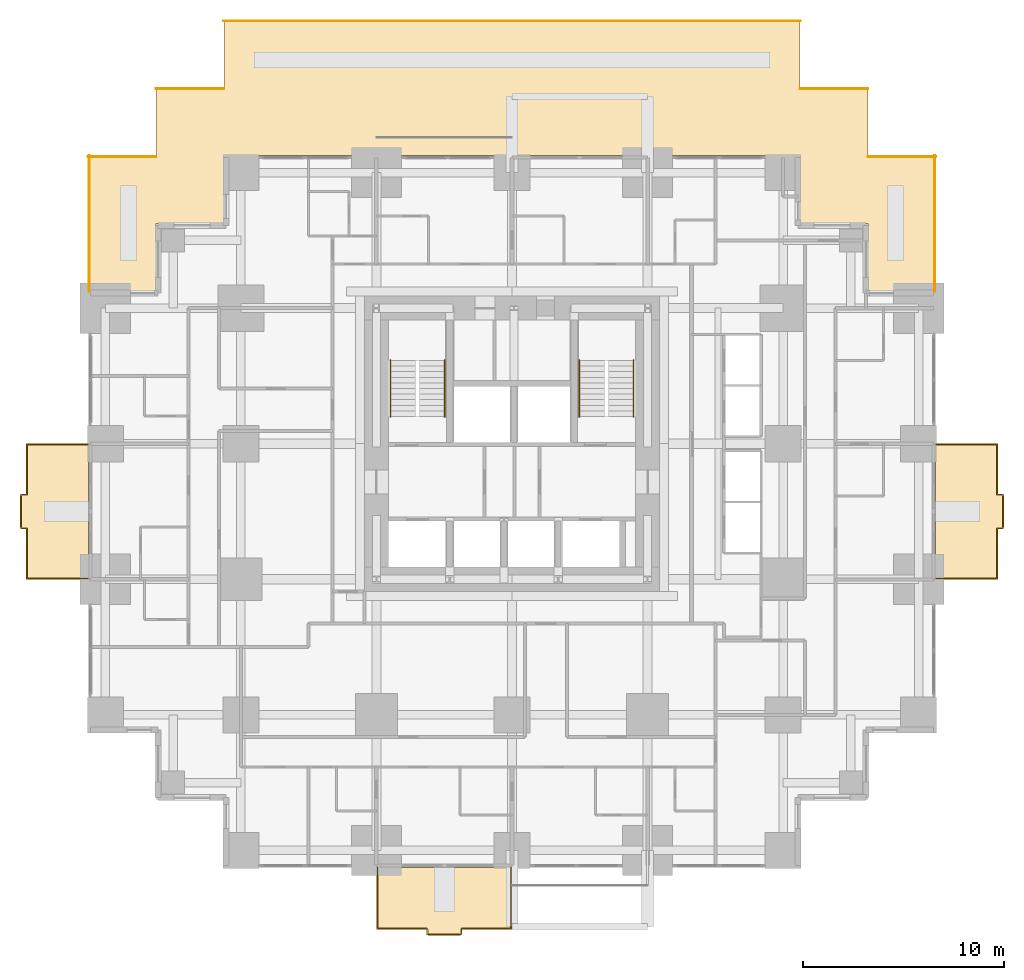
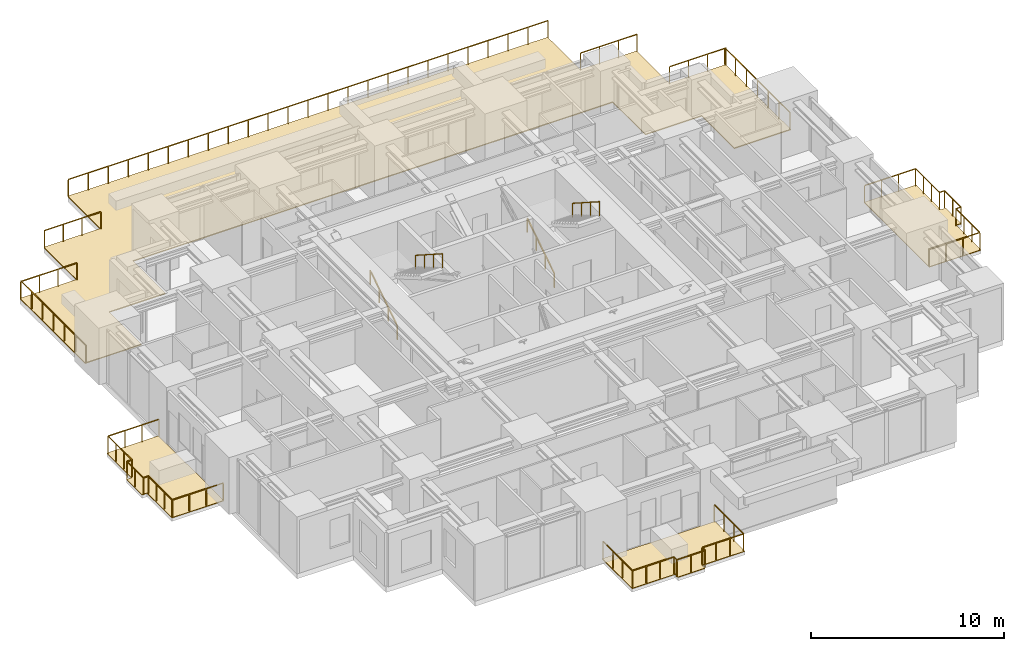
# One storey, part 12 of 12: 14 railings, 4 coverings.
"""IFC4 building model written with IfcOpenShell, lengths in metres."""

from ifc_helpers import new_model, si_unit, direction, frame, origin, origin_2d, place, context, subcontext, project, spatial, polyline, rectangle, outline, extrude, material, layer, layer_set, type_object, element, save


model = new_model("IFC4")

# Units and contexts
model_context = context("Model", 3, precision=1e-05, world=origin(), true_north=direction((0.0, 1.0)))
body_context = subcontext(model_context, "Body", "Model", "MODEL_VIEW")
ifc_project = project(units=[si_unit("LENGTHUNIT", "METRE"), si_unit("AREAUNIT", "SQUARE_METRE"), si_unit("VOLUMEUNIT", "CUBIC_METRE"), si_unit("PLANEANGLEUNIT", "RADIAN"), si_unit("MASSUNIT", "GRAM", prefix="KILO")], contexts=[model_context])

# Site, building, storey
site_placement = place(None, origin())
site = spatial("IfcSite", under=ifc_project, at=site_placement, CompositionType="ELEMENT")
building_placement = place(site_placement, origin())
building = spatial("IfcBuilding", under=site, at=building_placement, Name="Nyansa Garden Tower", CompositionType="ELEMENT")
storey_placement = place(building_placement, frame((0.0, 0.0, 80.10009765625)))
storey = spatial("IfcBuildingStorey", under=building, at=storey_placement, Name="L21", CompositionType="ELEMENT", Elevation=80.10009765625)

# Coverings
ifc_material_1 = material(Name="Hardwood decking on pedestals", Category="wood")
ifc_layer_1 = layer(ifc_material_1, 0.0400390625)
ifc_layer_set_1 = layer_set([ifc_layer_1], Name="Balcony decking DK40")
covering_type_1 = type_object("IfcCoveringType", Name="Balcony decking DK40", PredefinedType="FLOORING", material=ifc_layer_set_1)
covering_1_placement = place(storey_placement, frame((0.0, 0.0, -0.0400390625)))
element("IfcCovering", 1, at=covering_1_placement, inside=storey, type_object=covering_type_1, Name="Balcony decking L21", PredefinedType="FLOORING", context=body_context, shape_type="SweptSolid", body=[
    extrude(outline(polyline([(13.5, -0.85009765625), (20.25, -0.85009765625), (20.25, -3.949951171875), (17.675048828125, -3.949951171875), (17.675048828125, -4.25), (16.074951171875, -4.25), (16.074951171875, -3.949951171875), (13.5, -3.949951171875), (13.5, -0.85009765625)])), origin(), (0.0, 0.0, 1.0), 0.0400390625),
])
covering_2_placement = place(storey_placement, frame((0.0, 0.0, -0.0400390625)))
element("IfcCovering", 2, at=covering_2_placement, inside=storey, type_object=covering_type_1, Name="Balcony decking L21", PredefinedType="FLOORING", context=body_context, shape_type="SweptSolid", body=[
    extrude(outline(polyline([(41.35009765625, 13.5), (41.35009765625, 20.25), (44.449951171875, 20.25), (44.449951171875, 17.675048828125), (44.75, 17.675048828125), (44.75, 16.074951171875), (44.449951171875, 16.074951171875), (44.449951171875, 13.5), (41.35009765625, 13.5)])), origin(), (0.0, 0.0, 1.0), 0.0400390625),
])
covering_3_placement = place(storey_placement, frame((0.0, 0.0, -0.0400390625)))
element("IfcCovering", 3, at=covering_3_placement, inside=storey, type_object=covering_type_1, Name="Balcony decking L21", PredefinedType="FLOORING", context=body_context, shape_type="SweptSolid", body=[
    extrude(outline(polyline([(-0.85009765625, 13.5), (-0.85009765625, 20.25), (-3.949951171875, 20.25), (-3.949951171875, 17.675048828125), (-4.25, 17.675048828125), (-4.25, 16.074951171875), (-3.949951171875, 16.074951171875), (-3.949951171875, 13.5), (-0.85009765625, 13.5)])), origin(), (0.0, 0.0, 1.0), 0.0400390625),
])

# Railings
ifc_material_2 = material(Name="Black powder-coated steel balusters, laminated glass infill", Category="steel")
railing_type_1 = type_object("IfcRailingType", Name="Balcony guard G1", PredefinedType="GUARDRAIL", material=ifc_material_2)
railing_1_placement = place(storey_placement, frame((13.550048828125, -0.85009765625, 0.0)))
element("IfcRailing", 4, at=railing_1_placement, inside=storey, type_object=railing_type_1, Name="Balcony guard L21", PredefinedType="GUARDRAIL", context=body_context, shape_type="SweptSolid", body=[
    extrude(rectangle(XDim=0.048095703125, YDim=0.048095703125, at=origin_2d()), frame((0.0, 0.0, 1.076171875), z_axis=(0.0, -1.0, 0.0), x_axis=(1.0, 0.0, 0.0)), (0.0, 0.0, 1.0), 3.0498046875),
    extrude(rectangle(XDim=0.048095703125, YDim=0.048095703125, at=origin_2d()), frame((0.0, -3.0498046875, 1.076171875), z_axis=(1.0, 0.0, 0.0), x_axis=(0.0, 1.0, 0.0)), (0.0, 0.0, 1.0), 2.474853515625),
    extrude(rectangle(XDim=0.048095703125, YDim=0.048095703125, at=origin_2d()), frame((2.474853515625, -3.0498046875, 1.076171875), z_axis=(0.0, -1.0, 0.0), x_axis=(1.0, 0.0, 0.0)), (0.0, 0.0, 1.0), 0.300048828125),
    extrude(rectangle(XDim=0.048095703125, YDim=0.048095703125, at=origin_2d()), frame((2.474853515625, -3.349853515625, 1.076171875), z_axis=(1.0, 0.0, 0.0), x_axis=(0.0, 1.0, 0.0)), (0.0, 0.0, 1.0), 1.7001953125),
    extrude(rectangle(XDim=0.048095703125, YDim=0.048095703125, at=origin_2d()), frame((4.175048828125, -3.349853515625, 1.076171875), z_axis=(0.0, 1.0, 0.0), x_axis=(-1.0, 0.0, 0.0)), (0.0, 0.0, 1.0), 0.300048828125),
    extrude(rectangle(XDim=0.048095703125, YDim=0.048095703125, at=origin_2d()), frame((4.175048828125, -3.0498046875, 1.076171875), z_axis=(1.0, 0.0, 0.0), x_axis=(0.0, 1.0, 0.0)), (0.0, 0.0, 1.0), 2.474853515625),
    extrude(rectangle(XDim=0.048095703125, YDim=0.048095703125, at=origin_2d()), frame((6.64990234375, -3.0498046875, 1.076171875), z_axis=(0.0, 1.0, 0.0), x_axis=(-1.0, 0.0, 0.0)), (0.0, 0.0, 1.0), 3.0498046875),
    extrude(rectangle(XDim=0.0419921875, YDim=0.0419921875, at=origin_2d()), origin(), (0.0, 0.0, 1.0), 1.052001953125),
    extrude(rectangle(XDim=0.0419921875, YDim=0.0419921875, at=origin_2d()), frame((0.0, -1.0166015625, 0.0)), (0.0, 0.0, 1.0), 1.052001953125),
    extrude(rectangle(XDim=0.0419921875, YDim=0.0419921875, at=origin_2d()), frame((0.0, -2.033203125, 0.0)), (0.0, 0.0, 1.0), 1.052001953125),
    extrude(rectangle(XDim=0.0419921875, YDim=0.0419921875, at=origin_2d()), frame((0.0, -3.0498046875, 0.0)), (0.0, 0.0, 1.0), 1.052001953125),
    extrude(rectangle(XDim=0.0419921875, YDim=0.0419921875, at=origin_2d()), frame((0.824951171875, -3.0498046875, 0.0)), (0.0, 0.0, 1.0), 1.052001953125),
    extrude(rectangle(XDim=0.0419921875, YDim=0.0419921875, at=origin_2d()), frame((1.64990234375, -3.0498046875, 0.0)), (0.0, 0.0, 1.0), 1.052001953125),
    extrude(rectangle(XDim=0.0419921875, YDim=0.0419921875, at=origin_2d()), frame((2.474853515625, -3.0498046875, 0.0)), (0.0, 0.0, 1.0), 1.052001953125),
    extrude(rectangle(XDim=0.0419921875, YDim=0.0419921875, at=origin_2d()), frame((2.474853515625, -3.349853515625, 0.0)), (0.0, 0.0, 1.0), 1.052001953125),
    extrude(rectangle(XDim=0.0419921875, YDim=0.0419921875, at=origin_2d()), frame((3.324951171875, -3.349853515625, 0.0)), (0.0, 0.0, 1.0), 1.052001953125),
    extrude(rectangle(XDim=0.0419921875, YDim=0.0419921875, at=origin_2d()), frame((4.175048828125, -3.349853515625, 0.0)), (0.0, 0.0, 1.0), 1.052001953125),
    extrude(rectangle(XDim=0.0419921875, YDim=0.0419921875, at=origin_2d()), frame((4.175048828125, -3.0498046875, 0.0)), (0.0, 0.0, 1.0), 1.052001953125),
    extrude(rectangle(XDim=0.0419921875, YDim=0.0419921875, at=origin_2d()), frame((5.0, -3.0498046875, 0.0)), (0.0, 0.0, 1.0), 1.052001953125),
    extrude(rectangle(XDim=0.0419921875, YDim=0.0419921875, at=origin_2d()), frame((5.824951171875, -3.0498046875, 0.0)), (0.0, 0.0, 1.0), 1.052001953125),
    extrude(rectangle(XDim=0.0419921875, YDim=0.0419921875, at=origin_2d()), frame((6.64990234375, -3.0498046875, 0.0)), (0.0, 0.0, 1.0), 1.052001953125),
    extrude(rectangle(XDim=0.0419921875, YDim=0.0419921875, at=origin_2d()), frame((6.64990234375, -2.033203125, 0.0)), (0.0, 0.0, 1.0), 1.052001953125),
    extrude(rectangle(XDim=0.0419921875, YDim=0.0419921875, at=origin_2d()), frame((6.64990234375, -1.0166015625, 0.0)), (0.0, 0.0, 1.0), 1.052001953125),
    extrude(rectangle(XDim=0.0419921875, YDim=0.0419921875, at=origin_2d()), frame((6.64990234375, 0.0, 0.0)), (0.0, 0.0, 1.0), 1.052001953125),
])
railing_2_placement = place(storey_placement, frame((41.35009765625, 13.550048828125, 0.0)))
element("IfcRailing", 5, at=railing_2_placement, inside=storey, type_object=railing_type_1, Name="Balcony guard L21", PredefinedType="GUARDRAIL", context=body_context, shape_type="SweptSolid", body=[
    extrude(rectangle(XDim=0.048095703125, YDim=0.048095703125, at=origin_2d()), frame((0.0, 0.0, 1.076171875), z_axis=(1.0, 0.0, 0.0), x_axis=(0.0, 1.0, 0.0)), (0.0, 0.0, 1.0), 3.0498046875),
    extrude(rectangle(XDim=0.048095703125, YDim=0.048095703125, at=origin_2d()), frame((3.0498046875, 0.0, 1.076171875), z_axis=(0.0, 1.0, 0.0), x_axis=(-1.0, 0.0, 0.0)), (0.0, 0.0, 1.0), 2.474853515625),
    extrude(rectangle(XDim=0.048095703125, YDim=0.048095703125, at=origin_2d()), frame((3.0498046875, 2.474853515625, 1.076171875), z_axis=(1.0, 0.0, 0.0), x_axis=(0.0, 1.0, 0.0)), (0.0, 0.0, 1.0), 0.300048828125),
    extrude(rectangle(XDim=0.048095703125, YDim=0.048095703125, at=origin_2d()), frame((3.349853515625, 2.474853515625, 1.076171875), z_axis=(0.0, 1.0, 0.0), x_axis=(-1.0, 0.0, 0.0)), (0.0, 0.0, 1.0), 1.7001953125),
    extrude(rectangle(XDim=0.048095703125, YDim=0.048095703125, at=origin_2d()), frame((3.349853515625, 4.175048828125, 1.076171875), z_axis=(-1.0, 0.0, 0.0), x_axis=(0.0, -1.0, 0.0)), (0.0, 0.0, 1.0), 0.300048828125),
    extrude(rectangle(XDim=0.048095703125, YDim=0.048095703125, at=origin_2d()), frame((3.0498046875, 4.175048828125, 1.076171875), z_axis=(0.0, 1.0, 0.0), x_axis=(-1.0, 0.0, 0.0)), (0.0, 0.0, 1.0), 2.474853515625),
    extrude(rectangle(XDim=0.048095703125, YDim=0.048095703125, at=origin_2d()), frame((3.0498046875, 6.64990234375, 1.076171875), z_axis=(-1.0, 0.0, 0.0), x_axis=(0.0, -1.0, 0.0)), (0.0, 0.0, 1.0), 3.0498046875),
    extrude(rectangle(XDim=0.0419921875, YDim=0.0419921875, at=origin_2d()), origin(), (0.0, 0.0, 1.0), 1.052001953125),
    extrude(rectangle(XDim=0.0419921875, YDim=0.0419921875, at=origin_2d()), frame((1.0166015625, 0.0, 0.0)), (0.0, 0.0, 1.0), 1.052001953125),
    extrude(rectangle(XDim=0.0419921875, YDim=0.0419921875, at=origin_2d()), frame((2.033203125, 0.0, 0.0)), (0.0, 0.0, 1.0), 1.052001953125),
    extrude(rectangle(XDim=0.0419921875, YDim=0.0419921875, at=origin_2d()), frame((3.0498046875, 0.0, 0.0)), (0.0, 0.0, 1.0), 1.052001953125),
    extrude(rectangle(XDim=0.0419921875, YDim=0.0419921875, at=origin_2d()), frame((3.0498046875, 0.824951171875, 0.0)), (0.0, 0.0, 1.0), 1.052001953125),
    extrude(rectangle(XDim=0.0419921875, YDim=0.0419921875, at=origin_2d()), frame((3.0498046875, 1.64990234375, 0.0)), (0.0, 0.0, 1.0), 1.052001953125),
    extrude(rectangle(XDim=0.0419921875, YDim=0.0419921875, at=origin_2d()), frame((3.0498046875, 2.474853515625, 0.0)), (0.0, 0.0, 1.0), 1.052001953125),
    extrude(rectangle(XDim=0.0419921875, YDim=0.0419921875, at=origin_2d()), frame((3.349853515625, 2.474853515625, 0.0)), (0.0, 0.0, 1.0), 1.052001953125),
    extrude(rectangle(XDim=0.0419921875, YDim=0.0419921875, at=origin_2d()), frame((3.349853515625, 3.324951171875, 0.0)), (0.0, 0.0, 1.0), 1.052001953125),
    extrude(rectangle(XDim=0.0419921875, YDim=0.0419921875, at=origin_2d()), frame((3.349853515625, 4.175048828125, 0.0)), (0.0, 0.0, 1.0), 1.052001953125),
    extrude(rectangle(XDim=0.0419921875, YDim=0.0419921875, at=origin_2d()), frame((3.0498046875, 4.175048828125, 0.0)), (0.0, 0.0, 1.0), 1.052001953125),
    extrude(rectangle(XDim=0.0419921875, YDim=0.0419921875, at=origin_2d()), frame((3.0498046875, 5.0, 0.0)), (0.0, 0.0, 1.0), 1.052001953125),
    extrude(rectangle(XDim=0.0419921875, YDim=0.0419921875, at=origin_2d()), frame((3.0498046875, 5.824951171875, 0.0)), (0.0, 0.0, 1.0), 1.052001953125),
    extrude(rectangle(XDim=0.0419921875, YDim=0.0419921875, at=origin_2d()), frame((3.0498046875, 6.64990234375, 0.0)), (0.0, 0.0, 1.0), 1.052001953125),
    extrude(rectangle(XDim=0.0419921875, YDim=0.0419921875, at=origin_2d()), frame((2.033203125, 6.64990234375, 0.0)), (0.0, 0.0, 1.0), 1.052001953125),
    extrude(rectangle(XDim=0.0419921875, YDim=0.0419921875, at=origin_2d()), frame((1.0166015625, 6.64990234375, 0.0)), (0.0, 0.0, 1.0), 1.052001953125),
    extrude(rectangle(XDim=0.0419921875, YDim=0.0419921875, at=origin_2d()), frame((0.0, 6.64990234375, 0.0)), (0.0, 0.0, 1.0), 1.052001953125),
])
railing_3_placement = place(storey_placement, frame((-0.85009765625, 13.550048828125, 0.0)))
element("IfcRailing", 6, at=railing_3_placement, inside=storey, type_object=railing_type_1, Name="Balcony guard L21", PredefinedType="GUARDRAIL", context=body_context, shape_type="SweptSolid", body=[
    extrude(rectangle(XDim=0.048095703125, YDim=0.048095703125, at=origin_2d()), frame((0.0, 0.0, 1.076171875), z_axis=(-1.0, 0.0, 0.0), x_axis=(0.0, -1.0, 0.0)), (0.0, 0.0, 1.0), 3.0498046875),
    extrude(rectangle(XDim=0.048095703125, YDim=0.048095703125, at=origin_2d()), frame((-3.0498046875, 0.0, 1.076171875), z_axis=(0.0, 1.0, 0.0), x_axis=(-1.0, 0.0, 0.0)), (0.0, 0.0, 1.0), 2.474853515625),
    extrude(rectangle(XDim=0.048095703125, YDim=0.048095703125, at=origin_2d()), frame((-3.0498046875, 2.474853515625, 1.076171875), z_axis=(-1.0, 0.0, 0.0), x_axis=(0.0, -1.0, 0.0)), (0.0, 0.0, 1.0), 0.300048828125),
    extrude(rectangle(XDim=0.048095703125, YDim=0.048095703125, at=origin_2d()), frame((-3.349853515625, 2.474853515625, 1.076171875), z_axis=(0.0, 1.0, 0.0), x_axis=(-1.0, 0.0, 0.0)), (0.0, 0.0, 1.0), 1.7001953125),
    extrude(rectangle(XDim=0.048095703125, YDim=0.048095703125, at=origin_2d()), frame((-3.349853515625, 4.175048828125, 1.076171875), z_axis=(1.0, 0.0, 0.0), x_axis=(0.0, 1.0, 0.0)), (0.0, 0.0, 1.0), 0.300048828125),
    extrude(rectangle(XDim=0.048095703125, YDim=0.048095703125, at=origin_2d()), frame((-3.0498046875, 4.175048828125, 1.076171875), z_axis=(0.0, 1.0, 0.0), x_axis=(-1.0, 0.0, 0.0)), (0.0, 0.0, 1.0), 2.474853515625),
    extrude(rectangle(XDim=0.048095703125, YDim=0.048095703125, at=origin_2d()), frame((-3.0498046875, 6.64990234375, 1.076171875), z_axis=(1.0, 0.0, 0.0), x_axis=(0.0, 1.0, 0.0)), (0.0, 0.0, 1.0), 3.0498046875),
    extrude(rectangle(XDim=0.0419921875, YDim=0.0419921875, at=origin_2d()), origin(), (0.0, 0.0, 1.0), 1.052001953125),
    extrude(rectangle(XDim=0.0419921875, YDim=0.0419921875, at=origin_2d()), frame((-1.0166015625, 0.0, 0.0)), (0.0, 0.0, 1.0), 1.052001953125),
    extrude(rectangle(XDim=0.0419921875, YDim=0.0419921875, at=origin_2d()), frame((-2.033203125, 0.0, 0.0)), (0.0, 0.0, 1.0), 1.052001953125),
    extrude(rectangle(XDim=0.0419921875, YDim=0.0419921875, at=origin_2d()), frame((-3.0498046875, 0.0, 0.0)), (0.0, 0.0, 1.0), 1.052001953125),
    extrude(rectangle(XDim=0.0419921875, YDim=0.0419921875, at=origin_2d()), frame((-3.0498046875, 0.824951171875, 0.0)), (0.0, 0.0, 1.0), 1.052001953125),
    extrude(rectangle(XDim=0.0419921875, YDim=0.0419921875, at=origin_2d()), frame((-3.0498046875, 1.64990234375, 0.0)), (0.0, 0.0, 1.0), 1.052001953125),
    extrude(rectangle(XDim=0.0419921875, YDim=0.0419921875, at=origin_2d()), frame((-3.0498046875, 2.474853515625, 0.0)), (0.0, 0.0, 1.0), 1.052001953125),
    extrude(rectangle(XDim=0.0419921875, YDim=0.0419921875, at=origin_2d()), frame((-3.349853515625, 2.474853515625, 0.0)), (0.0, 0.0, 1.0), 1.052001953125),
    extrude(rectangle(XDim=0.0419921875, YDim=0.0419921875, at=origin_2d()), frame((-3.349853515625, 3.324951171875, 0.0)), (0.0, 0.0, 1.0), 1.052001953125),
    extrude(rectangle(XDim=0.0419921875, YDim=0.0419921875, at=origin_2d()), frame((-3.349853515625, 4.175048828125, 0.0)), (0.0, 0.0, 1.0), 1.052001953125),
    extrude(rectangle(XDim=0.0419921875, YDim=0.0419921875, at=origin_2d()), frame((-3.0498046875, 4.175048828125, 0.0)), (0.0, 0.0, 1.0), 1.052001953125),
    extrude(rectangle(XDim=0.0419921875, YDim=0.0419921875, at=origin_2d()), frame((-3.0498046875, 5.0, 0.0)), (0.0, 0.0, 1.0), 1.052001953125),
    extrude(rectangle(XDim=0.0419921875, YDim=0.0419921875, at=origin_2d()), frame((-3.0498046875, 5.824951171875, 0.0)), (0.0, 0.0, 1.0), 1.052001953125),
    extrude(rectangle(XDim=0.0419921875, YDim=0.0419921875, at=origin_2d()), frame((-3.0498046875, 6.64990234375, 0.0)), (0.0, 0.0, 1.0), 1.052001953125),
    extrude(rectangle(XDim=0.0419921875, YDim=0.0419921875, at=origin_2d()), frame((-2.033203125, 6.64990234375, 0.0)), (0.0, 0.0, 1.0), 1.052001953125),
    extrude(rectangle(XDim=0.0419921875, YDim=0.0419921875, at=origin_2d()), frame((-1.0166015625, 6.64990234375, 0.0)), (0.0, 0.0, 1.0), 1.052001953125),
    extrude(rectangle(XDim=0.0419921875, YDim=0.0419921875, at=origin_2d()), frame((0.0, 6.64990234375, 0.0)), (0.0, 0.0, 1.0), 1.052001953125),
])
ifc_material_3 = material(Name="Black powder-coated steel tube 48 mm", Category="steel")
railing_type_2 = type_object("IfcRailingType", Name="Stair handrail HR1", PredefinedType="HANDRAIL", material=ifc_material_3)
railing_4_placement = place(storey_placement, frame((14.199951171875, 21.60009765625, 0.0)))
element("IfcRailing", 7, at=railing_4_placement, inside=storey, type_object=railing_type_2, Name="Stair S1 handrail L21", PredefinedType="HANDRAIL", context=body_context, shape_type="SweptSolid", body=[
    extrude(rectangle(XDim=0.048095703125, YDim=0.048095703125, at=origin_2d()), frame((0.0, 0.0, 0.8759765625), z_axis=(0.0, 0.841188008214, 0.540742762169), x_axis=(-1.0, 0.0, 0.0)), (0.0, 0.0, 1.0), 3.328369140625),
    extrude(rectangle(XDim=0.0419921875, YDim=0.0419921875, at=origin_2d()), origin(), (0.0, 0.0, 1.0), 0.851806640625),
    extrude(rectangle(XDim=0.0419921875, YDim=0.0419921875, at=origin_2d()), frame((0.0, 0.933349609375, 0.599853515625)), (0.0, 0.0, 1.0), 0.851806640625),
    extrude(rectangle(XDim=0.0419921875, YDim=0.0419921875, at=origin_2d()), frame((0.0, 1.866455078125, 1.199951171875)), (0.0, 0.0, 1.0), 0.851806640625),
    extrude(rectangle(XDim=0.0419921875, YDim=0.0419921875, at=origin_2d()), frame((0.0, 2.7998046875, 1.7998046875)), (0.0, 0.0, 1.0), 0.851806640625),
])
railing_5_placement = place(storey_placement, frame((16.89990234375, 24.39990234375, 1.7998046875)))
element("IfcRailing", 8, at=railing_5_placement, inside=storey, type_object=railing_type_2, Name="Stair S1 handrail L21", PredefinedType="HANDRAIL", context=body_context, shape_type="SweptSolid", body=[
    extrude(rectangle(XDim=0.048095703125, YDim=0.048095703125, at=origin_2d()), frame((0.0, 0.0, 0.8759765625), z_axis=(0.0, -0.841154643086, 0.54079466197), x_axis=(1.0, 0.0, 0.0)), (0.0, 0.0, 1.0), 3.32861328125),
    extrude(rectangle(XDim=0.0419921875, YDim=0.0419921875, at=origin_2d()), origin(), (0.0, 0.0, 1.0), 0.851806640625),
    extrude(rectangle(XDim=0.0419921875, YDim=0.0419921875, at=origin_2d()), frame((0.0, -0.933349609375, 0.60009765625)), (0.0, 0.0, 1.0), 0.851806640625),
    extrude(rectangle(XDim=0.0419921875, YDim=0.0419921875, at=origin_2d()), frame((0.0, -1.866455078125, 1.199951171875)), (0.0, 0.0, 1.0), 0.851806640625),
    extrude(rectangle(XDim=0.0419921875, YDim=0.0419921875, at=origin_2d()), frame((0.0, -2.7998046875, 1.800048828125)), (0.0, 0.0, 1.0), 0.851806640625),
])
railing_6_placement = place(storey_placement, frame((23.60009765625, 21.60009765625, 0.0)))
element("IfcRailing", 9, at=railing_6_placement, inside=storey, type_object=railing_type_2, Name="Stair S2 handrail L21", PredefinedType="HANDRAIL", context=body_context, shape_type="SweptSolid", body=[
    extrude(rectangle(XDim=0.048095703125, YDim=0.048095703125, at=origin_2d()), frame((0.0, 0.0, 0.8759765625), z_axis=(0.0, 0.841188008214, 0.540742762169), x_axis=(-1.0, 0.0, 0.0)), (0.0, 0.0, 1.0), 3.328369140625),
    extrude(rectangle(XDim=0.0419921875, YDim=0.0419921875, at=origin_2d()), origin(), (0.0, 0.0, 1.0), 0.851806640625),
    extrude(rectangle(XDim=0.0419921875, YDim=0.0419921875, at=origin_2d()), frame((0.0, 0.933349609375, 0.599853515625)), (0.0, 0.0, 1.0), 0.851806640625),
    extrude(rectangle(XDim=0.0419921875, YDim=0.0419921875, at=origin_2d()), frame((0.0, 1.866455078125, 1.199951171875)), (0.0, 0.0, 1.0), 0.851806640625),
    extrude(rectangle(XDim=0.0419921875, YDim=0.0419921875, at=origin_2d()), frame((0.0, 2.7998046875, 1.7998046875)), (0.0, 0.0, 1.0), 0.851806640625),
])
railing_7_placement = place(storey_placement, frame((26.300048828125, 24.39990234375, 1.7998046875)))
element("IfcRailing", 10, at=railing_7_placement, inside=storey, type_object=railing_type_2, Name="Stair S2 handrail L21", PredefinedType="HANDRAIL", context=body_context, shape_type="SweptSolid", body=[
    extrude(rectangle(XDim=0.048095703125, YDim=0.048095703125, at=origin_2d()), frame((0.0, 0.0, 0.8759765625), z_axis=(0.0, -0.841154643086, 0.54079466197), x_axis=(1.0, 0.0, 0.0)), (0.0, 0.0, 1.0), 3.32861328125),
    extrude(rectangle(XDim=0.0419921875, YDim=0.0419921875, at=origin_2d()), origin(), (0.0, 0.0, 1.0), 0.851806640625),
    extrude(rectangle(XDim=0.0419921875, YDim=0.0419921875, at=origin_2d()), frame((0.0, -0.933349609375, 0.60009765625)), (0.0, 0.0, 1.0), 0.851806640625),
    extrude(rectangle(XDim=0.0419921875, YDim=0.0419921875, at=origin_2d()), frame((0.0, -1.866455078125, 1.199951171875)), (0.0, 0.0, 1.0), 0.851806640625),
    extrude(rectangle(XDim=0.0419921875, YDim=0.0419921875, at=origin_2d()), frame((0.0, -2.7998046875, 1.800048828125)), (0.0, 0.0, 1.0), 0.851806640625),
])
ifc_material_4 = material(Name="Black powder-coated steel, laminated glass infill", Category="steel")
railing_type_3 = type_object("IfcRailingType", Name="Terrace guard G2", PredefinedType="GUARDRAIL", material=ifc_material_4)
railing_8_placement = place(storey_placement, frame((-0.800048828125, 27.85009765625, 0.0)))
element("IfcRailing", 11, at=railing_8_placement, inside=storey, type_object=railing_type_3, Name="Terrace guard L21", PredefinedType="GUARDRAIL", context=body_context, shape_type="SweptSolid", body=[
    extrude(rectangle(XDim=0.048095703125, YDim=0.048095703125, at=origin_2d()), frame((0.0, 0.0, 1.076171875), z_axis=(0.0, 1.0, 0.0), x_axis=(-1.0, 0.0, 0.0)), (0.0, 0.0, 1.0), 6.75),
    extrude(rectangle(XDim=0.0419921875, YDim=0.0419921875, at=origin_2d()), origin(), (0.0, 0.0, 1.0), 1.052001953125),
    extrude(rectangle(XDim=0.0419921875, YDim=0.0419921875, at=origin_2d()), frame((0.0, 1.125, 0.0)), (0.0, 0.0, 1.0), 1.052001953125),
    extrude(rectangle(XDim=0.0419921875, YDim=0.0419921875, at=origin_2d()), frame((0.0, 2.25, 0.0)), (0.0, 0.0, 1.0), 1.052001953125),
    extrude(rectangle(XDim=0.0419921875, YDim=0.0419921875, at=origin_2d()), frame((0.0, 3.375, 0.0)), (0.0, 0.0, 1.0), 1.052001953125),
    extrude(rectangle(XDim=0.0419921875, YDim=0.0419921875, at=origin_2d()), frame((0.0, 4.5, 0.0)), (0.0, 0.0, 1.0), 1.052001953125),
    extrude(rectangle(XDim=0.0419921875, YDim=0.0419921875, at=origin_2d()), frame((0.0, 5.625, 0.0)), (0.0, 0.0, 1.0), 1.052001953125),
    extrude(rectangle(XDim=0.0419921875, YDim=0.0419921875, at=origin_2d()), frame((0.0, 6.75, 0.0)), (0.0, 0.0, 1.0), 1.052001953125),
])
railing_9_placement = place(storey_placement, frame((-0.85009765625, 34.550048828125, 0.0)))
element("IfcRailing", 12, at=railing_9_placement, inside=storey, type_object=railing_type_3, Name="Terrace guard L21", PredefinedType="GUARDRAIL", context=body_context, shape_type="SweptSolid", body=[
    extrude(rectangle(XDim=0.048095703125, YDim=0.048095703125, at=origin_2d()), frame((0.0, 0.0, 1.076171875), z_axis=(1.0, 0.0, 0.0), x_axis=(0.0, 1.0, 0.0)), (0.0, 0.0, 1.0), 3.375),
    extrude(rectangle(XDim=0.0419921875, YDim=0.0419921875, at=origin_2d()), origin(), (0.0, 0.0, 1.0), 1.052001953125),
    extrude(rectangle(XDim=0.0419921875, YDim=0.0419921875, at=origin_2d()), frame((1.125, 0.0, 0.0)), (0.0, 0.0, 1.0), 1.052001953125),
    extrude(rectangle(XDim=0.0419921875, YDim=0.0419921875, at=origin_2d()), frame((2.25, 0.0, 0.0)), (0.0, 0.0, 1.0), 1.052001953125),
    extrude(rectangle(XDim=0.0419921875, YDim=0.0419921875, at=origin_2d()), frame((3.375, 0.0, 0.0)), (0.0, 0.0, 1.0), 1.052001953125),
])
railing_10_placement = place(storey_placement, frame((41.300048828125, 34.60009765625, 0.0)))
element("IfcRailing", 13, at=railing_10_placement, inside=storey, type_object=railing_type_3, Name="Terrace guard L21", PredefinedType="GUARDRAIL", context=body_context, shape_type="SweptSolid", body=[
    extrude(rectangle(XDim=0.048095703125, YDim=0.048095703125, at=origin_2d()), frame((0.0, 0.0, 1.076171875), z_axis=(0.0, -1.0, 0.0), x_axis=(1.0, 0.0, 0.0)), (0.0, 0.0, 1.0), 6.75),
    extrude(rectangle(XDim=0.0419921875, YDim=0.0419921875, at=origin_2d()), origin(), (0.0, 0.0, 1.0), 1.052001953125),
    extrude(rectangle(XDim=0.0419921875, YDim=0.0419921875, at=origin_2d()), frame((0.0, -1.125, 0.0)), (0.0, 0.0, 1.0), 1.052001953125),
    extrude(rectangle(XDim=0.0419921875, YDim=0.0419921875, at=origin_2d()), frame((0.0, -2.25, 0.0)), (0.0, 0.0, 1.0), 1.052001953125),
    extrude(rectangle(XDim=0.0419921875, YDim=0.0419921875, at=origin_2d()), frame((0.0, -3.375, 0.0)), (0.0, 0.0, 1.0), 1.052001953125),
    extrude(rectangle(XDim=0.0419921875, YDim=0.0419921875, at=origin_2d()), frame((0.0, -4.5, 0.0)), (0.0, 0.0, 1.0), 1.052001953125),
    extrude(rectangle(XDim=0.0419921875, YDim=0.0419921875, at=origin_2d()), frame((0.0, -5.625, 0.0)), (0.0, 0.0, 1.0), 1.052001953125),
    extrude(rectangle(XDim=0.0419921875, YDim=0.0419921875, at=origin_2d()), frame((0.0, -6.75, 0.0)), (0.0, 0.0, 1.0), 1.052001953125),
])
for number, where, name in (
    (14, (37.97509765625, 34.550048828125, 0.0), "Terrace guard L21"),
    (15, (2.52490234375, 37.925048828125, 0.0), "Terrace guard L21"),
    (16, (34.60009765625, 37.925048828125, 0.0), "Terrace guard L21"),
):
    element("IfcRailing", number, at=place(storey_placement, frame(where)), inside=storey, type_object=railing_type_3, Name=name, PredefinedType="GUARDRAIL", context=body_context, shape_type="SweptSolid", body=[
        extrude(rectangle(XDim=0.048095703125, YDim=0.048095703125, at=origin_2d()), frame((0.0, 0.0, 1.076171875), z_axis=(1.0, 0.0, 0.0), x_axis=(0.0, 1.0, 0.0)), (0.0, 0.0, 1.0), 3.375),
        extrude(rectangle(XDim=0.0419921875, YDim=0.0419921875, at=origin_2d()), origin(), (0.0, 0.0, 1.0), 1.052001953125),
        extrude(rectangle(XDim=0.0419921875, YDim=0.0419921875, at=origin_2d()), frame((1.125, 0.0, 0.0)), (0.0, 0.0, 1.0), 1.052001953125),
        extrude(rectangle(XDim=0.0419921875, YDim=0.0419921875, at=origin_2d()), frame((2.25, 0.0, 0.0)), (0.0, 0.0, 1.0), 1.052001953125),
        extrude(rectangle(XDim=0.0419921875, YDim=0.0419921875, at=origin_2d()), frame((3.375, 0.0, 0.0)), (0.0, 0.0, 1.0), 1.052001953125),
    ])
railing_11_placement = place(storey_placement, frame((5.89990234375, 41.300048828125, 0.0)))
element("IfcRailing", 17, at=railing_11_placement, inside=storey, type_object=railing_type_3, Name="Terrace guard L21", PredefinedType="GUARDRAIL", context=body_context, shape_type="SweptSolid", body=[
    extrude(rectangle(XDim=0.048095703125, YDim=0.048095703125, at=origin_2d()), frame((0.0, 0.0, 1.076171875), z_axis=(1.0, 0.0, 0.0), x_axis=(0.0, 1.0, 0.0)), (0.0, 0.0, 1.0), 28.7001953125),
    extrude(rectangle(XDim=0.0419921875, YDim=0.0419921875, at=origin_2d()), origin(), (0.0, 0.0, 1.0), 1.052001953125),
    extrude(rectangle(XDim=0.0419921875, YDim=0.0419921875, at=origin_2d()), frame((1.19580078125, 0.0, 0.0)), (0.0, 0.0, 1.0), 1.052001953125),
    extrude(rectangle(XDim=0.0419921875, YDim=0.0419921875, at=origin_2d()), frame((2.3916015625, 0.0, 0.0)), (0.0, 0.0, 1.0), 1.052001953125),
    extrude(rectangle(XDim=0.0419921875, YDim=0.0419921875, at=origin_2d()), frame((3.58740234375, 0.0, 0.0)), (0.0, 0.0, 1.0), 1.052001953125),
    extrude(rectangle(XDim=0.0419921875, YDim=0.0419921875, at=origin_2d()), frame((4.783447265625, 0.0, 0.0)), (0.0, 0.0, 1.0), 1.052001953125),
    extrude(rectangle(XDim=0.0419921875, YDim=0.0419921875, at=origin_2d()), frame((5.979248046875, 0.0, 0.0)), (0.0, 0.0, 1.0), 1.052001953125),
    extrude(rectangle(XDim=0.0419921875, YDim=0.0419921875, at=origin_2d()), frame((7.175048828125, 0.0, 0.0)), (0.0, 0.0, 1.0), 1.052001953125),
    extrude(rectangle(XDim=0.0419921875, YDim=0.0419921875, at=origin_2d()), frame((8.370849609375, 0.0, 0.0)), (0.0, 0.0, 1.0), 1.052001953125),
    extrude(rectangle(XDim=0.0419921875, YDim=0.0419921875, at=origin_2d()), frame((9.566650390625, 0.0, 0.0)), (0.0, 0.0, 1.0), 1.052001953125),
    extrude(rectangle(XDim=0.0419921875, YDim=0.0419921875, at=origin_2d()), frame((10.7626953125, 0.0, 0.0)), (0.0, 0.0, 1.0), 1.052001953125),
    extrude(rectangle(XDim=0.0419921875, YDim=0.0419921875, at=origin_2d()), frame((11.95849609375, 0.0, 0.0)), (0.0, 0.0, 1.0), 1.052001953125),
    extrude(rectangle(XDim=0.0419921875, YDim=0.0419921875, at=origin_2d()), frame((13.154296875, 0.0, 0.0)), (0.0, 0.0, 1.0), 1.052001953125),
    extrude(rectangle(XDim=0.0419921875, YDim=0.0419921875, at=origin_2d()), frame((14.35009765625, 0.0, 0.0)), (0.0, 0.0, 1.0), 1.052001953125),
    extrude(rectangle(XDim=0.0419921875, YDim=0.0419921875, at=origin_2d()), frame((15.5458984375, 0.0, 0.0)), (0.0, 0.0, 1.0), 1.052001953125),
    extrude(rectangle(XDim=0.0419921875, YDim=0.0419921875, at=origin_2d()), frame((16.74169921875, 0.0, 0.0)), (0.0, 0.0, 1.0), 1.052001953125),
    extrude(rectangle(XDim=0.0419921875, YDim=0.0419921875, at=origin_2d()), frame((17.9375, 0.0, 0.0)), (0.0, 0.0, 1.0), 1.052001953125),
    extrude(rectangle(XDim=0.0419921875, YDim=0.0419921875, at=origin_2d()), frame((19.133544921875, 0.0, 0.0)), (0.0, 0.0, 1.0), 1.052001953125),
    extrude(rectangle(XDim=0.0419921875, YDim=0.0419921875, at=origin_2d()), frame((20.329345703125, 0.0, 0.0)), (0.0, 0.0, 1.0), 1.052001953125),
    extrude(rectangle(XDim=0.0419921875, YDim=0.0419921875, at=origin_2d()), frame((21.525146484375, 0.0, 0.0)), (0.0, 0.0, 1.0), 1.052001953125),
    extrude(rectangle(XDim=0.0419921875, YDim=0.0419921875, at=origin_2d()), frame((22.720947265625, 0.0, 0.0)), (0.0, 0.0, 1.0), 1.052001953125),
    extrude(rectangle(XDim=0.0419921875, YDim=0.0419921875, at=origin_2d()), frame((23.916748046875, 0.0, 0.0)), (0.0, 0.0, 1.0), 1.052001953125),
    extrude(rectangle(XDim=0.0419921875, YDim=0.0419921875, at=origin_2d()), frame((25.11279296875, 0.0, 0.0)), (0.0, 0.0, 1.0), 1.052001953125),
    extrude(rectangle(XDim=0.0419921875, YDim=0.0419921875, at=origin_2d()), frame((26.30859375, 0.0, 0.0)), (0.0, 0.0, 1.0), 1.052001953125),
    extrude(rectangle(XDim=0.0419921875, YDim=0.0419921875, at=origin_2d()), frame((27.50439453125, 0.0, 0.0)), (0.0, 0.0, 1.0), 1.052001953125),
    extrude(rectangle(XDim=0.0419921875, YDim=0.0419921875, at=origin_2d()), frame((28.7001953125, 0.0, 0.0)), (0.0, 0.0, 1.0), 1.052001953125),
])

# Covering
ifc_material_5 = material(Name="Terracotta and turquoise glazed tile paving on pedestals", Category="masonry")
ifc_layer_2 = layer(ifc_material_5, 0.06005859375)
ifc_layer_set_2 = layer_set([ifc_layer_2], Name="Terrace paving PV60")
covering_type_2 = type_object("IfcCoveringType", Name="Terrace paving PV60", PredefinedType="USERDEFINED", material=ifc_layer_set_2)
covering_4_placement = place(storey_placement, frame((0.0, 0.0, -0.06005859375)))
element("IfcCovering", 18, at=covering_4_placement, inside=storey, type_object=covering_type_2, Name="Terrace paving L21", ObjectType="PAVING", PredefinedType="USERDEFINED", context=body_context, shape_type="SweptSolid", body=[
    extrude(outline(polyline([(-0.85009765625, 34.60009765625), (2.52490234375, 34.60009765625), (2.52490234375, 37.97509765625), (5.89990234375, 37.97509765625), (5.89990234375, 41.35009765625), (34.60009765625, 41.35009765625), (34.60009765625, 37.97509765625), (37.97509765625, 37.97509765625), (37.97509765625, 34.60009765625), (41.35009765625, 34.60009765625), (41.35009765625, 27.85009765625), (37.97509765625, 27.85009765625), (37.97509765625, 31.22509765625), (34.60009765625, 31.22509765625), (34.60009765625, 34.60009765625), (5.89990234375, 34.60009765625), (5.89990234375, 31.22509765625), (2.52490234375, 31.22509765625), (2.52490234375, 27.85009765625), (-0.85009765625, 27.85009765625), (-0.85009765625, 34.60009765625)])), origin(), (0.0, 0.0, 1.0), 0.06005859375),
])

save(model, "model.ifc")
